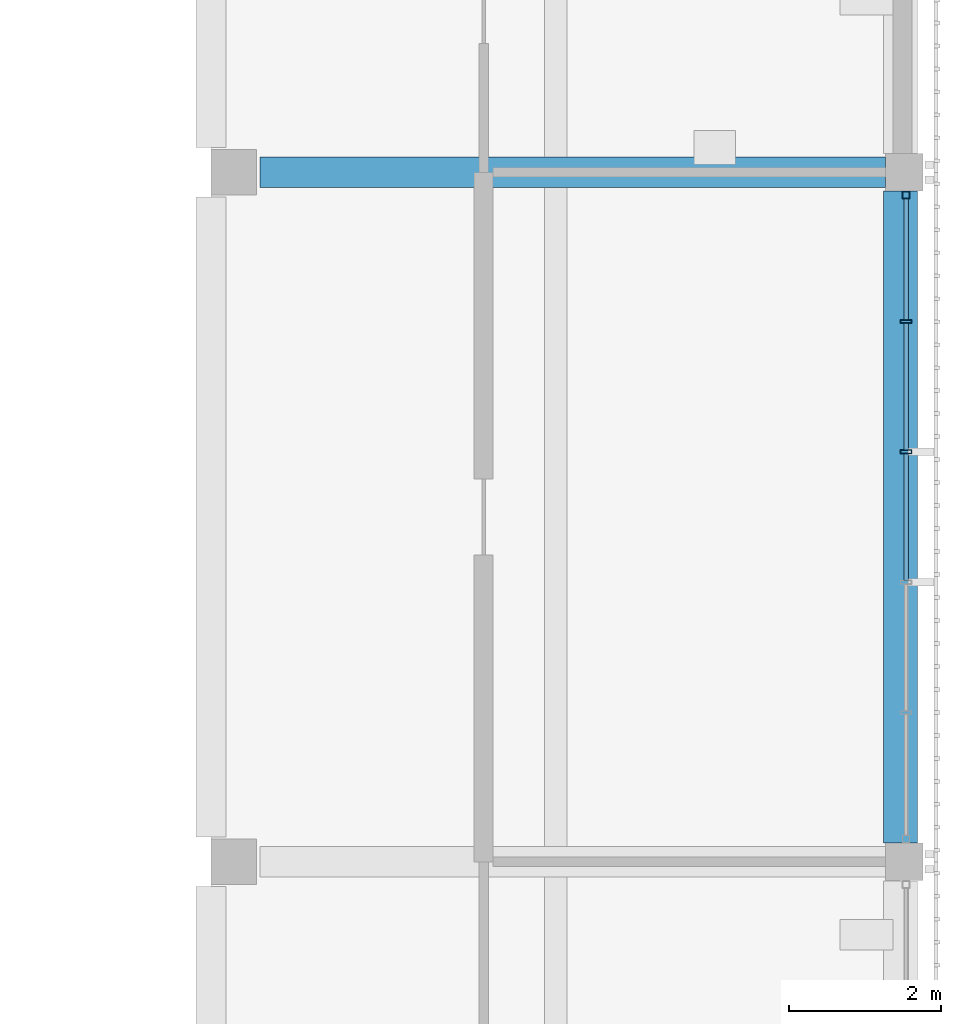
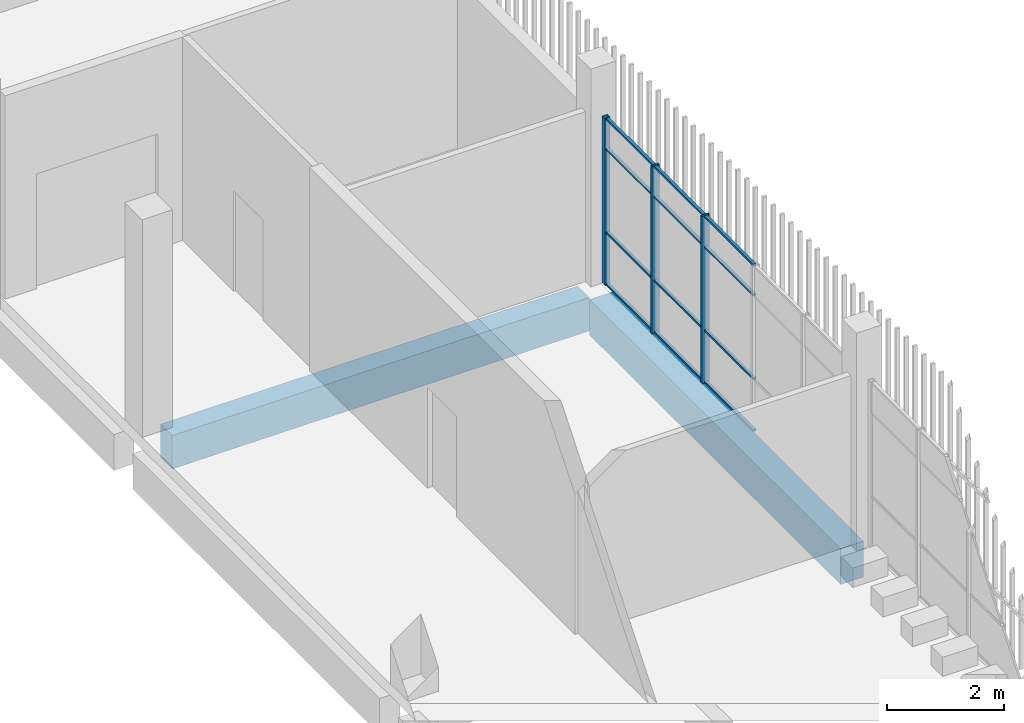
# One storey, part 55 of 124: 15 members, 2 beams, 1 element without a shape of its own.
"""IFC4 building model written with IfcOpenShell, lengths in metres."""

from ifc_helpers import new_model, si_unit, direction, frame, origin, origin_2d, place, context, subcontext, project, spatial, rectangle, hollow_rectangle, extrude, material, layer, layer_set, material_profile, profile_set, type_object, element, aggregate, save


model = new_model("IFC4")

# Units and contexts
model_context = context("Model", 3, precision=1e-05, world=origin(), true_north=direction((0.0, 1.0)))
body_context = subcontext(model_context, "Body", "Model", "MODEL_VIEW")
ifc_project = project(units=[si_unit("LENGTHUNIT", "METRE"), si_unit("AREAUNIT", "SQUARE_METRE"), si_unit("VOLUMEUNIT", "CUBIC_METRE"), si_unit("PLANEANGLEUNIT", "RADIAN"), si_unit("MASSUNIT", "GRAM", prefix="KILO")], contexts=[model_context])

# Site, building, storey
site_placement = place(None, origin())
site = spatial("IfcSite", under=ifc_project, at=site_placement, CompositionType="ELEMENT")
building_placement = place(site_placement, origin())
building = spatial("IfcBuilding", under=site, at=building_placement, Name="Shirokan Park Arena", CompositionType="ELEMENT")
storey_placement = place(building_placement, frame((0.0, 0.0, 20.02001953125)))
storey = spatial("IfcBuildingStorey", under=building, at=storey_placement, Name="L04", CompositionType="ELEMENT", Elevation=20.02001953125)

# Curtain wall, members
ifc_material_1 = material(Name="Steel and glass curtain wall", Category="steel")
ifc_layer = layer(ifc_material_1, 0.14990234375)
ifc_layer_set = layer_set([ifc_layer], Name="Steel and glass curtain wall 150 mm")
curtain_wall_type = type_object("IfcCurtainWallType", Name="Curtain wall exposed bay 150", PredefinedType="NOTDEFINED", material=ifc_layer_set)
curtain_wall_placement = place(storey_placement, origin())
curtain_wall = element("IfcCurtainWall", 1, at=curtain_wall_placement, inside=storey, type_object=curtain_wall_type, Name="Curtain wall east bay 7 L04", PredefinedType="NOTDEFINED")
ifc_material_2 = material(Name="Steel S355", Category="steel")
ifc_material_profile_1 = material_profile(ifc_material_2, hollow_rectangle(XDim=0.10009765625, YDim=0.10009765625, WallThickness=0.006103515625, at=origin_2d()), Name="RHS 100x100x6")
ifc_profile_set_1 = profile_set([ifc_material_profile_1], Name="Steel S355")
member_type_1 = type_object("IfcMemberType", Name="Mullion RHS 100x100x6", PredefinedType="MULLION", material=ifc_profile_set_1)
member_1_placement = place(storey_placement, frame((145.675048828125, 63.39990234375, 0.0), z_axis=(0.0, 0.0, 1.0), x_axis=(-1.0, 0.0, 0.0)))
member_1 = element("IfcMember", 2, at=member_1_placement, type_object=member_type_1, Name="CW1 mullion 6", PredefinedType="MULLION", context=body_context, shape_type="SweptSolid", body=[
    extrude(hollow_rectangle(XDim=0.10009765625, YDim=0.10009765625, WallThickness=0.006103515625, at=origin_2d()), origin(), (0.0, 0.0, 1.0), 3.5),
])
ifc_material_profile_2 = material_profile(ifc_material_2, hollow_rectangle(XDim=0.14990234375, YDim=0.050048828125, WallThickness=0.006103515625, at=origin_2d()), Name="RHS 150x50x6")
ifc_profile_set_2 = profile_set([ifc_material_profile_2], Name="Steel S355")
member_type_2 = type_object("IfcMemberType", Name="Mullion RHS 150x50x6", PredefinedType="MULLION", material=ifc_profile_set_2)
member_2_placement = place(storey_placement, frame((145.675048828125, 60.010009765625, 0.0), z_axis=(0.0, 0.0, 1.0), x_axis=(-1.0, 0.0, 0.0)))
member_2 = element("IfcMember", 3, at=member_2_placement, type_object=member_type_2, Name="CW1 mullion 4", PredefinedType="MULLION", context=body_context, shape_type="SweptSolid", body=[
    extrude(hollow_rectangle(XDim=0.14990234375, YDim=0.050048828125, WallThickness=0.006103515625, at=origin_2d()), origin(), (0.0, 0.0, 1.0), 3.5),
])
member_3_placement = place(storey_placement, frame((145.675048828125, 61.72998046875, 0.0), z_axis=(0.0, 0.0, 1.0), x_axis=(-1.0, 0.0, 0.0)))
member_3 = element("IfcMember", 4, at=member_3_placement, type_object=member_type_2, Name="CW1 mullion 5", PredefinedType="MULLION", context=body_context, shape_type="SweptSolid", body=[
    extrude(hollow_rectangle(XDim=0.14990234375, YDim=0.050048828125, WallThickness=0.006103515625, at=origin_2d()), origin(), (0.0, 0.0, 1.0), 3.5),
])

# Beams
ifc_material_3 = material(Name="Concrete C35", Category="concrete")
ifc_material_profile_3 = material_profile(ifc_material_3, rectangle(XDim=0.39990234375, YDim=0.699951171875, at=origin_2d()), Name="400x700")
ifc_profile_set_3 = profile_set([ifc_material_profile_3], Name="Concrete C35")
beam_type_1 = type_object("IfcBeamType", Name="RC girder 400x700", PredefinedType="BEAM", material=ifc_profile_set_3)
beam_1_placement = place(storey_placement, frame((137.150146484375, 63.699951171875, -0.60009765625), z_axis=(1.0, 0.0, 0.0), x_axis=(0.0, 1.0, 0.0)))
element("IfcBeam", 5, at=beam_1_placement, inside=storey, type_object=beam_type_1, Name="Girder 16H-17H L04", PredefinedType="BEAM", context=body_context, shape_type="SweptSolid", body=[
    extrude(rectangle(XDim=0.39990234375, YDim=0.699951171875, at=origin_2d()), origin(), (0.0, 0.0, 1.0), 8.249755859375),
])
ifc_material_profile_4 = material_profile(ifc_material_3, rectangle(XDim=0.449951171875, YDim=0.75, at=origin_2d()), Name="450x750")
ifc_profile_set_4 = profile_set([ifc_material_profile_4], Name="Concrete C35")
beam_type_2 = type_object("IfcBeamType", Name="RC girder 450x750", PredefinedType="BEAM", material=ifc_profile_set_4)
beam_2_placement = place(storey_placement, frame((145.60009765625, 54.85009765625, -0.625), z_axis=(0.0, 1.0, 0.0), x_axis=(-1.0, 0.0, 0.0)))
element("IfcBeam", 6, at=beam_2_placement, inside=storey, type_object=beam_type_2, Name="Girder 17G-17H L04", PredefinedType="BEAM", context=body_context, shape_type="SweptSolid", body=[
    extrude(rectangle(XDim=0.449951171875, YDim=0.75, at=origin_2d()), origin(), (0.0, 0.0, 1.0), 8.599853515625),
])

# Member
ifc_material_profile_5 = material_profile(ifc_material_2, hollow_rectangle(XDim=0.06005859375, YDim=0.0400390625, WallThickness=0.00390625, at=origin_2d()), Name="RHS 60x40x4")
ifc_profile_set_5 = profile_set([ifc_material_profile_5], Name="Steel S355")
member_type_3 = type_object("IfcMemberType", Name="Transom RHS 60x40x4", PredefinedType="MULLION", material=ifc_profile_set_5)
member_4_placement = place(storey_placement, frame((145.675048828125, 58.31494140625, 0.02001953125), z_axis=(0.0, 1.0, 0.0), x_axis=(-1.0, 0.0, 0.0)))
member_4 = element("IfcMember", 7, at=member_4_placement, type_object=member_type_3, Name="CW1 transom 3.1", PredefinedType="MULLION", context=body_context, shape_type="SweptSolid", body=[
    extrude(hollow_rectangle(XDim=0.06005859375, YDim=0.0400390625, WallThickness=0.00390625, at=origin_2d()), origin(), (0.0, 0.0, 1.0), 1.670166015625),
])

member_5_placement = place(storey_placement, frame((145.675048828125, 58.31494140625, 1.10009765625), z_axis=(0.0, 1.0, 0.0), x_axis=(-1.0, 0.0, 0.0)))
member_5 = element("IfcMember", 8, at=member_5_placement, type_object=member_type_3, Name="CW1 transom 3.2", PredefinedType="MULLION", context=body_context, shape_type="SweptSolid", body=[
    extrude(hollow_rectangle(XDim=0.06005859375, YDim=0.0400390625, WallThickness=0.00390625, at=origin_2d()), origin(), (0.0, 0.0, 1.0), 1.670166015625),
])

member_6_placement = place(storey_placement, frame((145.675048828125, 58.31494140625, 2.85009765625), z_axis=(0.0, 1.0, 0.0), x_axis=(-1.0, 0.0, 0.0)))
member_6 = element("IfcMember", 9, at=member_6_placement, type_object=member_type_3, Name="CW1 transom 3.3", PredefinedType="MULLION", context=body_context, shape_type="SweptSolid", body=[
    extrude(hollow_rectangle(XDim=0.06005859375, YDim=0.0400390625, WallThickness=0.00390625, at=origin_2d()), origin(), (0.0, 0.0, 1.0), 1.670166015625),
])

member_7_placement = place(storey_placement, frame((145.675048828125, 58.31494140625, 3.47998046875), z_axis=(0.0, 1.0, 0.0), x_axis=(-1.0, 0.0, 0.0)))
member_7 = element("IfcMember", 10, at=member_7_placement, type_object=member_type_3, Name="CW1 transom 3.4", PredefinedType="MULLION", context=body_context, shape_type="SweptSolid", body=[
    extrude(hollow_rectangle(XDim=0.06005859375, YDim=0.0400390625, WallThickness=0.00390625, at=origin_2d()), origin(), (0.0, 0.0, 1.0), 1.670166015625),
])

member_8_placement = place(storey_placement, frame((145.675048828125, 60.034912109375, 0.02001953125), z_axis=(0.0, 1.0, 0.0), x_axis=(-1.0, 0.0, 0.0)))
member_8 = element("IfcMember", 11, at=member_8_placement, type_object=member_type_3, Name="CW1 transom 4.1", PredefinedType="MULLION", context=body_context, shape_type="SweptSolid", body=[
    extrude(hollow_rectangle(XDim=0.06005859375, YDim=0.0400390625, WallThickness=0.00390625, at=origin_2d()), origin(), (0.0, 0.0, 1.0), 1.670166015625),
])

member_9_placement = place(storey_placement, frame((145.675048828125, 60.034912109375, 1.10009765625), z_axis=(0.0, 1.0, 0.0), x_axis=(-1.0, 0.0, 0.0)))
member_9 = element("IfcMember", 12, at=member_9_placement, type_object=member_type_3, Name="CW1 transom 4.2", PredefinedType="MULLION", context=body_context, shape_type="SweptSolid", body=[
    extrude(hollow_rectangle(XDim=0.06005859375, YDim=0.0400390625, WallThickness=0.00390625, at=origin_2d()), origin(), (0.0, 0.0, 1.0), 1.670166015625),
])

member_10_placement = place(storey_placement, frame((145.675048828125, 60.034912109375, 2.85009765625), z_axis=(0.0, 1.0, 0.0), x_axis=(-1.0, 0.0, 0.0)))
member_10 = element("IfcMember", 13, at=member_10_placement, type_object=member_type_3, Name="CW1 transom 4.3", PredefinedType="MULLION", context=body_context, shape_type="SweptSolid", body=[
    extrude(hollow_rectangle(XDim=0.06005859375, YDim=0.0400390625, WallThickness=0.00390625, at=origin_2d()), origin(), (0.0, 0.0, 1.0), 1.670166015625),
])

member_11_placement = place(storey_placement, frame((145.675048828125, 60.034912109375, 3.47998046875), z_axis=(0.0, 1.0, 0.0), x_axis=(-1.0, 0.0, 0.0)))
member_11 = element("IfcMember", 14, at=member_11_placement, type_object=member_type_3, Name="CW1 transom 4.4", PredefinedType="MULLION", context=body_context, shape_type="SweptSolid", body=[
    extrude(hollow_rectangle(XDim=0.06005859375, YDim=0.0400390625, WallThickness=0.00390625, at=origin_2d()), origin(), (0.0, 0.0, 1.0), 1.670166015625),
])

member_12_placement = place(storey_placement, frame((145.675048828125, 61.7548828125, 0.02001953125), z_axis=(0.0, 1.0, 0.0), x_axis=(-1.0, 0.0, 0.0)))
member_12 = element("IfcMember", 15, at=member_12_placement, type_object=member_type_3, Name="CW1 transom 5.1", PredefinedType="MULLION", context=body_context, shape_type="SweptSolid", body=[
    extrude(hollow_rectangle(XDim=0.06005859375, YDim=0.0400390625, WallThickness=0.00390625, at=origin_2d()), origin(), (0.0, 0.0, 1.0), 1.59521484375),
])

member_13_placement = place(storey_placement, frame((145.675048828125, 61.7548828125, 1.10009765625), z_axis=(0.0, 1.0, 0.0), x_axis=(-1.0, 0.0, 0.0)))
member_13 = element("IfcMember", 16, at=member_13_placement, type_object=member_type_3, Name="CW1 transom 5.2", PredefinedType="MULLION", context=body_context, shape_type="SweptSolid", body=[
    extrude(hollow_rectangle(XDim=0.06005859375, YDim=0.0400390625, WallThickness=0.00390625, at=origin_2d()), origin(), (0.0, 0.0, 1.0), 1.59521484375),
])

member_14_placement = place(storey_placement, frame((145.675048828125, 61.7548828125, 2.85009765625), z_axis=(0.0, 1.0, 0.0), x_axis=(-1.0, 0.0, 0.0)))
member_14 = element("IfcMember", 17, at=member_14_placement, type_object=member_type_3, Name="CW1 transom 5.3", PredefinedType="MULLION", context=body_context, shape_type="SweptSolid", body=[
    extrude(hollow_rectangle(XDim=0.06005859375, YDim=0.0400390625, WallThickness=0.00390625, at=origin_2d()), origin(), (0.0, 0.0, 1.0), 1.59521484375),
])

member_15_placement = place(storey_placement, frame((145.675048828125, 61.7548828125, 3.47998046875), z_axis=(0.0, 1.0, 0.0), x_axis=(-1.0, 0.0, 0.0)))
member_15 = element("IfcMember", 18, at=member_15_placement, type_object=member_type_3, Name="CW1 transom 5.4", PredefinedType="MULLION", context=body_context, shape_type="SweptSolid", body=[
    extrude(hollow_rectangle(XDim=0.06005859375, YDim=0.0400390625, WallThickness=0.00390625, at=origin_2d()), origin(), (0.0, 0.0, 1.0), 1.59521484375),
])

aggregate(curtain_wall, [member_2, member_3, member_1, member_4, member_5, member_6, member_7, member_8, member_9, member_10, member_11, member_12, member_13, member_14, member_15])

save(model, "model.ifc")
